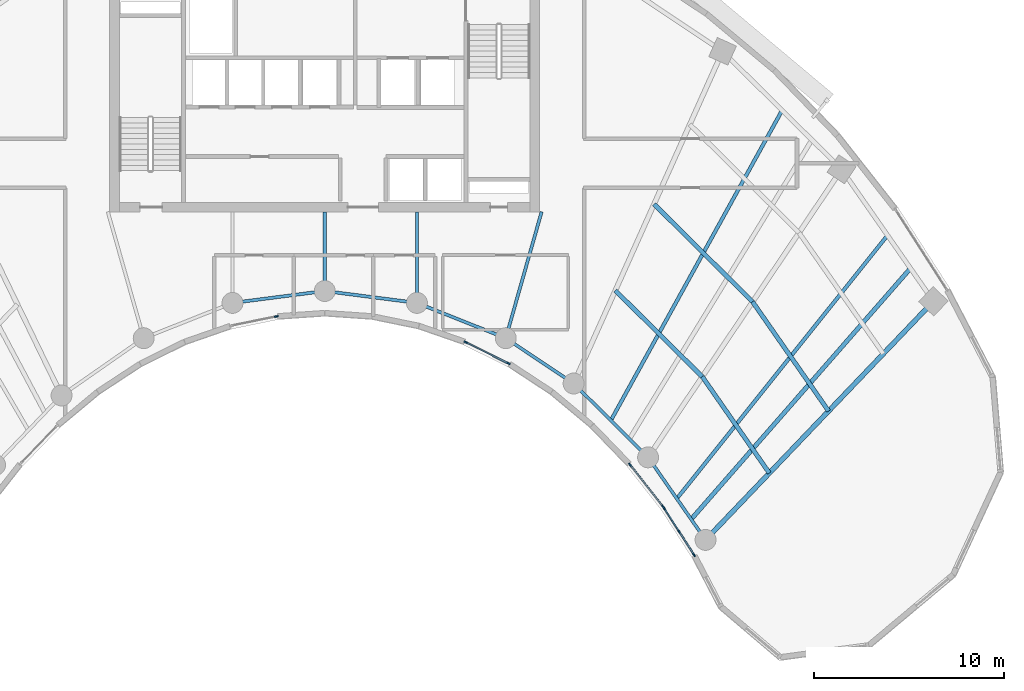
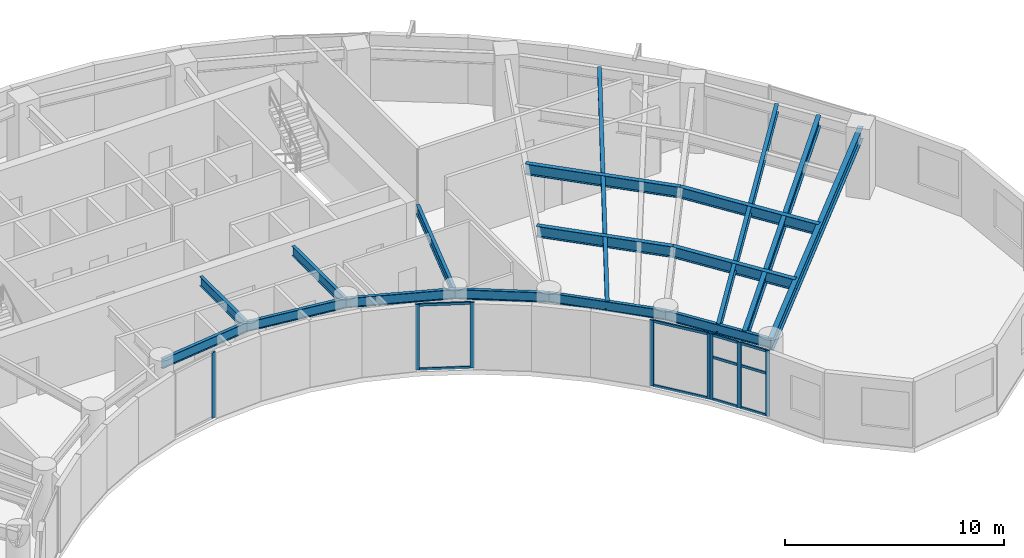
# One storey, part 3 of 13: 18 members, 17 beams, 4 elements without a shape of their own.
"""IFC4 building model written with IfcOpenShell, lengths in metres."""

from ifc_helpers import new_model, si_unit, direction, frame, origin, origin_2d, place, context, subcontext, project, spatial, rectangle, i_section, extrude, source, transform, mapped, material, layer, layer_set, material_profile, profile_set, type_object, type_shapes, element, aggregate, save


model = new_model("IFC4")

# Units and contexts
model_context = context("Model", 3, precision=1e-05, world=origin(), true_north=direction((0.0, 1.0)))
body_context = subcontext(model_context, "Body", "Model", "MODEL_VIEW")
ifc_project = project(units=[si_unit("LENGTHUNIT", "METRE"), si_unit("AREAUNIT", "SQUARE_METRE"), si_unit("VOLUMEUNIT", "CUBIC_METRE"), si_unit("PLANEANGLEUNIT", "RADIAN"), si_unit("MASSUNIT", "GRAM", prefix="KILO")], contexts=[model_context])

# Site, building, storey
site_placement = place(None, origin())
site = spatial("IfcSite", under=ifc_project, at=site_placement, CompositionType="ELEMENT")
building_placement = place(site_placement, origin())
building = spatial("IfcBuilding", under=site, at=building_placement, Name="Breltana Convention Tower", CompositionType="ELEMENT")
storey_placement = place(building_placement, frame((0.0, 0.0, 158.39990234375)))
storey = spatial("IfcBuildingStorey", under=building, at=storey_placement, Name="L38", CompositionType="ELEMENT", Elevation=158.39990234375)

# Beams
ifc_material_1 = material(Name="Steel ASTM A992 Grade 50", Category="steel")
ifc_material_profile_1 = material_profile(ifc_material_1, i_section(OverallWidth=0.25390625, OverallDepth=0.68798828125, WebThickness=0.01318359375, FlangeThickness=0.02099609375, at=origin_2d()), Name="W27X102")
ifc_profile_set_1 = profile_set([ifc_material_profile_1], Name="Steel ASTM A992 Grade 50")
beam_type_1 = type_object("IfcBeamType", Name="BM-RG-W27X102", PredefinedType="USERDEFINED", material=ifc_profile_set_1)
shared_shape_1 = source(origin(), body_context, "Body", "SweptSolid", [
    extrude(i_section(OverallWidth=0.25390625, OverallDepth=0.68798828125, WebThickness=0.01318359375, FlangeThickness=0.02099609375, at=origin_2d()), origin(), (0.0, 0.0, 1.0), 17.341064453125),
])
type_shapes(beam_type_1, [shared_shape_1])
beam_1_placement = place(storey_placement, frame((68.015380859375, 42.95458984375, 3.30615234375), z_axis=(0.690716462293, 0.723125693581, 0.0), x_axis=(-0.723125693581, 0.690716462293, 0.0)))
element("IfcBeam", 1, at=beam_1_placement, inside=storey, type_object=beam_type_1, Name="L38 Radial Floor Girder R11", ObjectType="GIRDER", PredefinedType="USERDEFINED", context=body_context, shape_type="MappedRepresentation", body=[
    mapped(shared_shape_1, transform((0.0, 0.0, 0.0), scale=1.0)),
])
ifc_material_profile_2 = material_profile(ifc_material_1, i_section(OverallWidth=0.166015625, OverallDepth=0.534912109375, WebThickness=0.01025390625, FlangeThickness=0.0166015625, at=origin_2d()), Name="W21X57")
ifc_profile_set_2 = profile_set([ifc_material_profile_2], Name="Steel ASTM A992 Grade 50")
beam_type_2 = type_object("IfcBeamType", Name="BM-BM-W21X57", PredefinedType="BEAM", material=ifc_profile_set_2)
shared_shape_2 = source(origin(), body_context, "Body", "SweptSolid", [
    extrude(i_section(OverallWidth=0.166015625, OverallDepth=0.534912109375, WebThickness=0.01025390625, FlangeThickness=0.0166015625, at=origin_2d()), origin(), (0.0, 0.0, 1.0), 6.904541015625),
])
type_shapes(beam_type_2, [shared_shape_2])
beam_2_placement = place(storey_placement, frame((59.39990234375, 60.199951171875, 3.382568359375), z_axis=(-0.273006781054, -0.962012108811, 0.0), x_axis=(0.962012108811, -0.273006781054, 0.0)))
element("IfcBeam", 2, at=beam_2_placement, inside=storey, type_object=beam_type_2, Name="L38 South Core Tie Girder R08", PredefinedType="BEAM", context=body_context, shape_type="MappedRepresentation", body=[
    mapped(shared_shape_2, transform((0.0, 0.0, 0.0), scale=1.0)),
])
shared_shape_3 = source(origin(), body_context, "Body", "SweptSolid", [
    extrude(i_section(OverallWidth=0.166015625, OverallDepth=0.534912109375, WebThickness=0.01025390625, FlangeThickness=0.0166015625, at=origin_2d()), origin(), (0.0, 0.0, 1.0), 4.789306640625),
])
beam_3_placement = place(storey_placement, frame((52.846435546875, 60.199951171875, 3.382568359375), z_axis=(0.0, -1.0, 0.0), x_axis=(1.0, 0.0, 0.0)))
element("IfcBeam", 3, at=beam_3_placement, inside=storey, type_object=beam_type_2, Name="L38 South Core Tie Girder R07", PredefinedType="BEAM", context=body_context, shape_type="MappedRepresentation", body=[
    mapped(shared_shape_3, transform((0.0, 0.0, 0.0), scale=1.0)),
])
shared_shape_4 = source(origin(), body_context, "Body", "SweptSolid", [
    extrude(i_section(OverallWidth=0.166015625, OverallDepth=0.534912109375, WebThickness=0.01025390625, FlangeThickness=0.0166015625, at=origin_2d()), origin(), (0.0, 0.0, 1.0), 4.1640625),
])
beam_4_placement = place(storey_placement, frame((48.0, 60.199951171875, 3.382568359375), z_axis=(0.0, -1.0, 0.0), x_axis=(1.0, 0.0, 0.0)))
element("IfcBeam", 4, at=beam_4_placement, inside=storey, type_object=beam_type_2, Name="L38 South Core Tie Girder R06", PredefinedType="BEAM", context=body_context, shape_type="MappedRepresentation", body=[
    mapped(shared_shape_4, transform((0.0, 0.0, 0.0), scale=1.0)),
])
shared_shape_5 = source(origin(), body_context, "Body", "SweptSolid", [
    extrude(i_section(OverallWidth=0.166015625, OverallDepth=0.534912109375, WebThickness=0.01025390625, FlangeThickness=0.0166015625, at=origin_2d()), origin(), (0.0, 0.0, 1.0), 5.022705078125),
])
beam_5_placement = place(storey_placement, frame((52.846435546875, 55.41064453125, 3.382568359375), z_axis=(0.929458966248, -0.368925507469, 0.0), x_axis=(0.368925507469, 0.929458966248, 0.0)))
element("IfcBeam", 5, at=beam_5_placement, inside=storey, type_object=beam_type_2, Name="L38 Inner Ring Beam 07", PredefinedType="BEAM", context=body_context, shape_type="MappedRepresentation", body=[
    mapped(shared_shape_5, transform((0.0, 0.0, 0.0), scale=1.0)),
])
shared_shape_6 = source(origin(), body_context, "Body", "SweptSolid", [
    extrude(i_section(OverallWidth=0.166015625, OverallDepth=0.534912109375, WebThickness=0.01025390625, FlangeThickness=0.0166015625, at=origin_2d()), origin(), (0.0, 0.0, 1.0), 4.88671875),
])
for number, where, z_axis, x_axis, name in (
    (6, (43.153564453125, 55.41064453125, 3.382568359375), (0.991780525565, 0.127950729231, 0.0), (-0.127950729231, 0.991780525565, 0.0), "L38 Inner Ring Beam 05"),
    (7, (48.0, 56.035888671875, 3.382568359375), (0.991780525565, -0.127950729231, 0.0), (0.127950729231, 0.991780525565, 0.0), "L38 Inner Ring Beam 06"),
):
    element("IfcBeam", number, at=place(storey_placement, frame(where, z_axis=z_axis, x_axis=x_axis)), inside=storey, type_object=beam_type_2, Name=name, PredefinedType="BEAM", context=body_context, shape_type="MappedRepresentation", body=[
        mapped(shared_shape_6, transform((0.0, 0.0, 0.0), scale=1.0)),
    ])
shared_shape_7 = source(origin(), body_context, "Body", "SweptSolid", [
    extrude(i_section(OverallWidth=0.166015625, OverallDepth=0.534912109375, WebThickness=0.01025390625, FlangeThickness=0.0166015625, at=origin_2d()), origin(), (0.0, 0.0, 1.0), 4.2900390625),
])
beam_6_placement = place(storey_placement, frame((57.514892578125, 53.5576171875, 3.382568359375), z_axis=(0.831515827753, -0.555501060482, 0.0), x_axis=(0.555501060482, 0.831515827753, 0.0)))
element("IfcBeam", 8, at=beam_6_placement, inside=storey, type_object=beam_type_2, Name="L38 Inner Ring Beam 08", PredefinedType="BEAM", context=body_context, shape_type="MappedRepresentation", body=[
    mapped(shared_shape_7, transform((0.0, 0.0, 0.0), scale=1.0)),
])
shared_shape_8 = source(origin(), body_context, "Body", "SweptSolid", [
    extrude(i_section(OverallWidth=0.166015625, OverallDepth=0.534912109375, WebThickness=0.01025390625, FlangeThickness=0.0166015625, at=origin_2d()), origin(), (0.0, 0.0, 1.0), 5.51171875),
])
beam_7_placement = place(storey_placement, frame((61.08203125, 51.174560546875, 3.382568359375), z_axis=(0.710090360749, -0.704110559196, 0.0), x_axis=(0.704110559196, 0.710090360749, 0.0)))
element("IfcBeam", 9, at=beam_7_placement, inside=storey, type_object=beam_type_2, Name="L38 Inner Ring Beam 09", PredefinedType="BEAM", context=body_context, shape_type="MappedRepresentation", body=[
    mapped(shared_shape_8, transform((0.0, 0.0, 0.0), scale=1.0)),
])
shared_shape_9 = source(origin(), body_context, "Body", "SweptSolid", [
    extrude(i_section(OverallWidth=0.166015625, OverallDepth=0.534912109375, WebThickness=0.01025390625, FlangeThickness=0.0166015625, at=origin_2d()), origin(), (0.0, 0.0, 1.0), 5.286376953125),
])
beam_8_placement = place(storey_placement, frame((64.995849609375, 47.293701171875, 3.382568359375), z_axis=(0.571194382458, -0.82081482531, 0.0), x_axis=(0.82081482531, 0.571194382458, 0.0)))
element("IfcBeam", 10, at=beam_8_placement, inside=storey, type_object=beam_type_2, Name="L38 Inner Ring Beam 10", PredefinedType="BEAM", context=body_context, shape_type="MappedRepresentation", body=[
    mapped(shared_shape_9, transform((0.0, 0.0, 0.0), scale=1.0)),
])
ifc_material_profile_3 = material_profile(ifc_material_1, i_section(OverallWidth=0.22802734375, OverallDepth=0.60791015625, WebThickness=0.01123046875, FlangeThickness=0.017333984375, at=origin_2d()), Name="W24X76")
ifc_profile_set_3 = profile_set([ifc_material_profile_3], Name="Steel ASTM A992 Grade 50")
beam_type_3 = type_object("IfcBeamType", Name="BM-JSG-02", PredefinedType="JOIST", material=ifc_profile_set_3)
shared_shape_10 = source(origin(), body_context, "Body", "SweptSolid", [
    extrude(i_section(OverallWidth=0.22802734375, OverallDepth=0.60791015625, WebThickness=0.01123046875, FlangeThickness=0.017333984375, at=origin_2d()), origin(), (0.0, 0.0, 1.0), 6.435302734375),
])
beam_9_placement = place(storey_placement, frame((63.27392578125, 56.06298828125, 3.34619140625), z_axis=(0.710116389828, -0.704084308089, 0.0), x_axis=(0.704084308089, 0.710116389828, 0.0)))
element("IfcBeam", 11, at=beam_9_placement, inside=storey, type_object=beam_type_3, Name="L38 Composite Floor Joist 09.1", PredefinedType="JOIST", context=body_context, shape_type="MappedRepresentation", body=[
    mapped(shared_shape_10, transform((0.0, 0.0, 0.0), scale=1.0)),
])
shared_shape_11 = source(origin(), body_context, "Body", "SweptSolid", [
    extrude(i_section(OverallWidth=0.22802734375, OverallDepth=0.60791015625, WebThickness=0.01123046875, FlangeThickness=0.017333984375, at=origin_2d()), origin(), (0.0, 0.0, 1.0), 7.29296875),
])
beam_10_placement = place(storey_placement, frame((65.309326171875, 60.602294921875, 3.34619140625), z_axis=(0.710096551013, -0.704104316305, 0.0), x_axis=(0.704104316305, 0.710096551013, 0.0)))
element("IfcBeam", 12, at=beam_10_placement, inside=storey, type_object=beam_type_3, Name="L38 Composite Floor Joist 09.2", PredefinedType="JOIST", context=body_context, shape_type="MappedRepresentation", body=[
    mapped(shared_shape_11, transform((0.0, 0.0, 0.0), scale=1.0)),
])
ifc_material_profile_4 = material_profile(ifc_material_1, i_section(OverallWidth=0.19091796875, OverallDepth=0.4599609375, WebThickness=0.010009765625, FlangeThickness=0.01611328125, at=origin_2d()), Name="W18X55")
ifc_profile_set_4 = profile_set([ifc_material_profile_4], Name="Steel ASTM A992 Grade 50")
beam_type_4 = type_object("IfcBeamType", Name="BM-JSG-07", PredefinedType="JOIST", material=ifc_profile_set_4)
shared_shape_12 = source(origin(), body_context, "Body", "SweptSolid", [
    extrude(i_section(OverallWidth=0.19091796875, OverallDepth=0.4599609375, WebThickness=0.010009765625, FlangeThickness=0.01611328125, at=origin_2d()), origin(), (0.0, 0.0, 1.0), 18.617431640625),
])
beam_11_placement = place(storey_placement, frame((63.038818359375, 49.234130859375, 3.420166015625), z_axis=(0.483405602507, 0.875396495004, 0.0), x_axis=(-0.875396495004, 0.483405602507, 0.0)))
element("IfcBeam", 13, at=beam_11_placement, inside=storey, type_object=beam_type_4, Name="L38 Mid-Bay Radial Trimmer 09", PredefinedType="JOIST", context=body_context, shape_type="MappedRepresentation", body=[
    mapped(shared_shape_12, transform((0.0, 0.0, 0.0), scale=1.0)),
])
shared_shape_13 = source(origin(), body_context, "Body", "SweptSolid", [
    extrude(i_section(OverallWidth=0.22802734375, OverallDepth=0.60791015625, WebThickness=0.01123046875, FlangeThickness=0.017333984375, at=origin_2d()), origin(), (0.0, 0.0, 1.0), 6.172119140625),
])
beam_12_placement = place(storey_placement, frame((67.84375, 51.531982421875, 3.34619140625), z_axis=(0.571211663392, -0.820802799462, 0.0), x_axis=(0.820802799462, 0.571211663392, 0.0)))
element("IfcBeam", 14, at=beam_12_placement, inside=storey, type_object=beam_type_3, Name="L38 Composite Floor Joist 10.1", PredefinedType="JOIST", context=body_context, shape_type="MappedRepresentation", body=[
    mapped(shared_shape_13, transform((0.0, 0.0, 0.0), scale=1.0)),
])
shared_shape_14 = source(origin(), body_context, "Body", "SweptSolid", [
    extrude(i_section(OverallWidth=0.22802734375, OverallDepth=0.60791015625, WebThickness=0.01123046875, FlangeThickness=0.017333984375, at=origin_2d()), origin(), (0.0, 0.0, 1.0), 6.99462890625),
])
beam_13_placement = place(storey_placement, frame((70.488037109375, 55.46728515625, 3.34619140625), z_axis=(0.571206630732, -0.820806301759, 0.0), x_axis=(0.820806301759, 0.571206630732, 0.0)))
element("IfcBeam", 15, at=beam_13_placement, inside=storey, type_object=beam_type_3, Name="L38 Composite Floor Joist 10.2", PredefinedType="JOIST", context=body_context, shape_type="MappedRepresentation", body=[
    mapped(shared_shape_14, transform((0.0, 0.0, 0.0), scale=1.0)),
])
shared_shape_15 = source(origin(), body_context, "Body", "SweptSolid", [
    extrude(i_section(OverallWidth=0.19091796875, OverallDepth=0.4599609375, WebThickness=0.010009765625, FlangeThickness=0.01611328125, at=origin_2d()), origin(), (0.0, 0.0, 1.0), 17.7236328125),
])
beam_14_placement = place(storey_placement, frame((66.505615234375, 45.124267578125, 3.420166015625), z_axis=(0.624829427563, 0.78076128647, 0.0), x_axis=(-0.78076128647, 0.624829427563, 0.0)))
element("IfcBeam", 16, at=beam_14_placement, inside=storey, type_object=beam_type_4, Name="L38 Mid-Bay Radial Trimmer 10", PredefinedType="JOIST", context=body_context, shape_type="MappedRepresentation", body=[
    mapped(shared_shape_15, transform((0.0, 0.0, 0.0), scale=1.0)),
])
shared_shape_16 = source(origin(), body_context, "Body", "SweptSolid", [
    extrude(i_section(OverallWidth=0.22802734375, OverallDepth=0.60791015625, WebThickness=0.01123046875, FlangeThickness=0.017333984375, at=origin_2d()), origin(), (0.0, 0.0, 1.0), 17.515625),
])
beam_15_placement = place(storey_placement, frame((67.260498046875, 44.03955078125, 3.34619140625), z_axis=(0.658051548324, 0.752972881151, 0.0), x_axis=(-0.752972881151, 0.658051548324, 0.0)))
element("IfcBeam", 17, at=beam_15_placement, inside=storey, type_object=beam_type_3, Name="L38 Quarter-Bay Radial Trimmer 10", PredefinedType="JOIST", context=body_context, shape_type="MappedRepresentation", body=[
    mapped(shared_shape_16, transform((0.0, 0.0, 0.0), scale=1.0)),
])

# Curtain wall, members
ifc_material_2 = material(Name="Aluminium Anodised Bronze Frame", Category="aluminium")
ifc_layer = layer(ifc_material_2, 0.18994140625, Name="Aluminium Anodised Bronze Frame")
ifc_layer_set = layer_set([ifc_layer], Name="Aluminium Anodised Bronze Frame")
curtain_wall_type = type_object("IfcCurtainWallType", Name="CW-SYS-1", PredefinedType="NOTDEFINED", material=ifc_layer_set)
curtain_wall_1_placement = place(storey_placement, origin())
curtain_wall_1 = element("IfcCurtainWall", 18, at=curtain_wall_1_placement, inside=storey, type_object=curtain_wall_type, Name="L38 inner south-court glazing 1", PredefinedType="NOTDEFINED")
ifc_material_3 = material(Name="Aluminium Anodised Bronze", Category="aluminium")
ifc_material_profile_5 = material_profile(ifc_material_3, rectangle(XDim=0.080078125, YDim=0.199951171875, at=origin_2d()), Name="CWM-80X200")
ifc_profile_set_5 = profile_set([ifc_material_profile_5], Name="Aluminium Anodised Bronze")
member_type_1 = type_object("IfcMemberType", Name="CWM-200", PredefinedType="MULLION", material=ifc_profile_set_5)
shared_shape_17 = source(origin(), body_context, "Body", "SweptSolid", [
    extrude(rectangle(XDim=0.080078125, YDim=0.199951171875, at=origin_2d()), origin(), (0.0, 0.0, 1.0), 3.650146484375),
])
member_1_placement = place(storey_placement, frame((67.40966796875, 42.17041015625, 0.0), z_axis=(0.0, 0.0, 1.0), x_axis=(-0.841546744491, -0.540184298954, 0.0)))
member_1 = element("IfcMember", 19, at=member_1_placement, type_object=member_type_1, Name="CW-01 mullion 1", PredefinedType="MULLION", context=body_context, shape_type="MappedRepresentation", body=[
    mapped(shared_shape_17, transform((0.0, 0.0, 0.0), scale=1.0)),
])
member_2_placement = place(storey_placement, frame((66.626220703125, 43.390869140625, 0.0), z_axis=(0.0, 0.0, 1.0), x_axis=(-0.841546744491, -0.540184298954, 0.0)))
member_2 = element("IfcMember", 20, at=member_2_placement, type_object=member_type_1, Name="CW-01 mullion 2", PredefinedType="MULLION", context=body_context, shape_type="MappedRepresentation", body=[
    mapped(shared_shape_17, transform((0.0, 0.0, 0.0), scale=1.0)),
])
member_3_placement = place(storey_placement, frame((65.843017578125, 44.611328125, 0.0), z_axis=(0.0, 0.0, 1.0), x_axis=(-0.841546744491, -0.540184298954, 0.0)))
member_3 = element("IfcMember", 21, at=member_3_placement, type_object=member_type_1, Name="CW-01 mullion 3", PredefinedType="MULLION", context=body_context, shape_type="MappedRepresentation", body=[
    mapped(shared_shape_17, transform((0.0, 0.0, 0.0), scale=1.0)),
])

curtain_wall_2_placement = place(storey_placement, origin())
curtain_wall_2 = element("IfcCurtainWall", 22, at=curtain_wall_2_placement, inside=storey, type_object=curtain_wall_type, Name="L38 inner south-court glazing 2", PredefinedType="NOTDEFINED")
member_4_placement = place(storey_placement, frame((65.78662109375, 44.6904296875, 0.0), z_axis=(0.0, 0.0, 1.0), x_axis=(-0.786051168431, -0.618161435717, 0.0)))
member_4 = element("IfcMember", 23, at=member_4_placement, type_object=member_type_1, Name="CW-01 mullion 1", PredefinedType="MULLION", context=body_context, shape_type="MappedRepresentation", body=[
    mapped(shared_shape_17, transform((0.0, 0.0, 0.0), scale=1.0)),
])
member_5_placement = place(storey_placement, frame((64.045166015625, 46.905029296875, 0.0), z_axis=(0.0, 0.0, 1.0), x_axis=(-0.786051168431, -0.618161435717, 0.0)))
member_5 = element("IfcMember", 24, at=member_5_placement, type_object=member_type_1, Name="CW-01 mullion 2", PredefinedType="MULLION", context=body_context, shape_type="MappedRepresentation", body=[
    mapped(shared_shape_17, transform((0.0, 0.0, 0.0), scale=1.0)),
])

curtain_wall_3_placement = place(storey_placement, origin())
curtain_wall_3 = element("IfcCurtainWall", 25, at=curtain_wall_3_placement, inside=storey, type_object=curtain_wall_type, Name="L38 inner south-court glazing 3", PredefinedType="NOTDEFINED")
member_6_placement = place(storey_placement, frame((57.65625, 52.23095703125, 0.0), z_axis=(0.0, 0.0, 1.0), x_axis=(-0.444115496562, -0.895969545082, 0.0)))
member_6 = element("IfcMember", 26, at=member_6_placement, type_object=member_type_1, Name="CW-01 mullion 1", PredefinedType="MULLION", context=body_context, shape_type="MappedRepresentation", body=[
    mapped(shared_shape_17, transform((0.0, 0.0, 0.0), scale=1.0)),
])
member_7_placement = place(storey_placement, frame((55.412353515625, 53.34326171875, 0.0), z_axis=(0.0, 0.0, 1.0), x_axis=(-0.444115496562, -0.895969545082, 0.0)))
member_7 = element("IfcMember", 27, at=member_7_placement, type_object=member_type_1, Name="CW-01 mullion 2", PredefinedType="MULLION", context=body_context, shape_type="MappedRepresentation", body=[
    mapped(shared_shape_17, transform((0.0, 0.0, 0.0), scale=1.0)),
])

# Curtain wall, member
curtain_wall_4_placement = place(storey_placement, origin())
curtain_wall_4 = element("IfcCurtainWall", 28, at=curtain_wall_4_placement, inside=storey, type_object=curtain_wall_type, Name="L38 inner south-court glazing 4", PredefinedType="NOTDEFINED")
member_8_placement = place(storey_placement, frame((45.458740234375, 54.69677734375, 0.0), z_axis=(0.0, 0.0, 1.0), x_axis=(0.200861178299, -0.979619715529, 0.0)))
member_8 = element("IfcMember", 29, at=member_8_placement, type_object=member_type_1, Name="CW-01 mullion 1", PredefinedType="MULLION", context=body_context, shape_type="MappedRepresentation", body=[
    mapped(shared_shape_17, transform((0.0, 0.0, 0.0), scale=1.0)),
])
aggregate(curtain_wall_4, [member_8])

# Member
ifc_material_profile_6 = material_profile(ifc_material_3, rectangle(XDim=0.080078125, YDim=0.139892578125, at=origin_2d()), Name="CWT-80X140")
ifc_profile_set_6 = profile_set([ifc_material_profile_6], Name="Aluminium Anodised Bronze")
member_type_2 = type_object("IfcMemberType", Name="CWT-140", PredefinedType="USERDEFINED", material=ifc_profile_set_6)
shared_shape_18 = source(origin(), body_context, "Body", "SweptSolid", [
    extrude(rectangle(XDim=0.080078125, YDim=0.139892578125, at=origin_2d()), origin(), (0.0, 0.0, 1.0), 1.3701171875),
])
member_9_placement = place(storey_placement, frame((67.38818359375, 42.2041015625, 0.0400390625), z_axis=(-0.540226175019, 0.841519863, 0.0), x_axis=(-0.841519863, -0.540226175019, 0.0)))
member_9 = element("IfcMember", 30, at=member_9_placement, type_object=member_type_2, Name="CW-01 transom 1.1", ObjectType="TRANSOM", PredefinedType="USERDEFINED", context=body_context, shape_type="MappedRepresentation", body=[
    mapped(shared_shape_18, transform((0.0, 0.0, 0.0), scale=1.0)),
])

member_10_placement = place(storey_placement, frame((67.38818359375, 42.2041015625, 2.37255859375), z_axis=(-0.540226175019, 0.841519863, 0.0), x_axis=(-0.841519863, -0.540226175019, 0.0)))
member_10 = element("IfcMember", 31, at=member_10_placement, type_object=member_type_2, Name="CW-01 transom 1.2", ObjectType="TRANSOM", PredefinedType="USERDEFINED", context=body_context, shape_type="MappedRepresentation", body=[
    mapped(shared_shape_18, transform((0.0, 0.0, 0.0), scale=1.0)),
])

member_11_placement = place(storey_placement, frame((67.38818359375, 42.2041015625, 3.610107421875), z_axis=(-0.540226175019, 0.841519863, 0.0), x_axis=(-0.841519863, -0.540226175019, 0.0)))
member_11 = element("IfcMember", 32, at=member_11_placement, type_object=member_type_2, Name="CW-01 transom 1.3", ObjectType="TRANSOM", PredefinedType="USERDEFINED", context=body_context, shape_type="MappedRepresentation", body=[
    mapped(shared_shape_18, transform((0.0, 0.0, 0.0), scale=1.0)),
])

member_12_placement = place(storey_placement, frame((66.604736328125, 43.424560546875, 0.0400390625), z_axis=(-0.540226175019, 0.841519863, 0.0), x_axis=(-0.841519863, -0.540226175019, 0.0)))
member_12 = element("IfcMember", 33, at=member_12_placement, type_object=member_type_2, Name="CW-01 transom 2.1", ObjectType="TRANSOM", PredefinedType="USERDEFINED", context=body_context, shape_type="MappedRepresentation", body=[
    mapped(shared_shape_18, transform((0.0, 0.0, 0.0), scale=1.0)),
])

member_13_placement = place(storey_placement, frame((66.604736328125, 43.424560546875, 2.37255859375), z_axis=(-0.540226175019, 0.841519863, 0.0), x_axis=(-0.841519863, -0.540226175019, 0.0)))
member_13 = element("IfcMember", 34, at=member_13_placement, type_object=member_type_2, Name="CW-01 transom 2.2", ObjectType="TRANSOM", PredefinedType="USERDEFINED", context=body_context, shape_type="MappedRepresentation", body=[
    mapped(shared_shape_18, transform((0.0, 0.0, 0.0), scale=1.0)),
])

member_14_placement = place(storey_placement, frame((66.604736328125, 43.424560546875, 3.610107421875), z_axis=(-0.540226175019, 0.841519863, 0.0), x_axis=(-0.841519863, -0.540226175019, 0.0)))
member_14 = element("IfcMember", 35, at=member_14_placement, type_object=member_type_2, Name="CW-01 transom 2.3", ObjectType="TRANSOM", PredefinedType="USERDEFINED", context=body_context, shape_type="MappedRepresentation", body=[
    mapped(shared_shape_18, transform((0.0, 0.0, 0.0), scale=1.0)),
])

aggregate(curtain_wall_1, [member_1, member_2, member_3, member_9, member_10, member_11, member_12, member_13, member_14])

shared_shape_19 = source(origin(), body_context, "Body", "SweptSolid", [
    extrude(rectangle(XDim=0.080078125, YDim=0.139892578125, at=origin_2d()), origin(), (0.0, 0.0, 1.0), 2.7373046875),
])
member_15_placement = place(storey_placement, frame((65.761962890625, 44.721923828125, 0.0400390625), z_axis=(-0.618179938224, 0.786036617453, 0.0), x_axis=(-0.786036617453, -0.618179938224, 0.0)))
member_15 = element("IfcMember", 36, at=member_15_placement, type_object=member_type_2, Name="CW-01 transom 1.1", ObjectType="TRANSOM", PredefinedType="USERDEFINED", context=body_context, shape_type="MappedRepresentation", body=[
    mapped(shared_shape_19, transform((0.0, 0.0, 0.0), scale=1.0)),
])

member_16_placement = place(storey_placement, frame((65.761962890625, 44.721923828125, 3.610107421875), z_axis=(-0.618179938224, 0.786036617453, 0.0), x_axis=(-0.786036617453, -0.618179938224, 0.0)))
member_16 = element("IfcMember", 37, at=member_16_placement, type_object=member_type_2, Name="CW-01 transom 1.2", ObjectType="TRANSOM", PredefinedType="USERDEFINED", context=body_context, shape_type="MappedRepresentation", body=[
    mapped(shared_shape_19, transform((0.0, 0.0, 0.0), scale=1.0)),
])

aggregate(curtain_wall_2, [member_4, member_5, member_15, member_16])

shared_shape_20 = source(origin(), body_context, "Body", "SweptSolid", [
    extrude(rectangle(XDim=0.080078125, YDim=0.139892578125, at=origin_2d()), origin(), (0.0, 0.0, 1.0), 2.42431640625),
])
member_17_placement = place(storey_placement, frame((57.620361328125, 52.248779296875, 0.0400390625), z_axis=(-0.895932597015, 0.44419002871, 0.0), x_axis=(-0.44419002871, -0.895932597015, 0.0)))
member_17 = element("IfcMember", 38, at=member_17_placement, type_object=member_type_2, Name="CW-01 transom 1.1", ObjectType="TRANSOM", PredefinedType="USERDEFINED", context=body_context, shape_type="MappedRepresentation", body=[
    mapped(shared_shape_20, transform((0.0, 0.0, 0.0), scale=1.0)),
])

member_18_placement = place(storey_placement, frame((57.620361328125, 52.248779296875, 3.610107421875), z_axis=(-0.895932597015, 0.44419002871, 0.0), x_axis=(-0.44419002871, -0.895932597015, 0.0)))
member_18 = element("IfcMember", 39, at=member_18_placement, type_object=member_type_2, Name="CW-01 transom 1.2", ObjectType="TRANSOM", PredefinedType="USERDEFINED", context=body_context, shape_type="MappedRepresentation", body=[
    mapped(shared_shape_20, transform((0.0, 0.0, 0.0), scale=1.0)),
])

aggregate(curtain_wall_3, [member_6, member_7, member_17, member_18])

save(model, "model.ifc")
